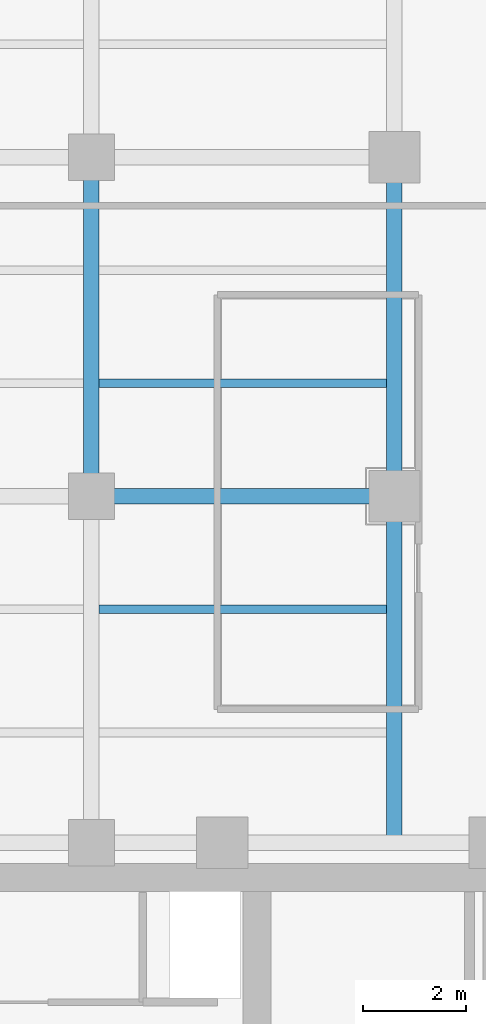
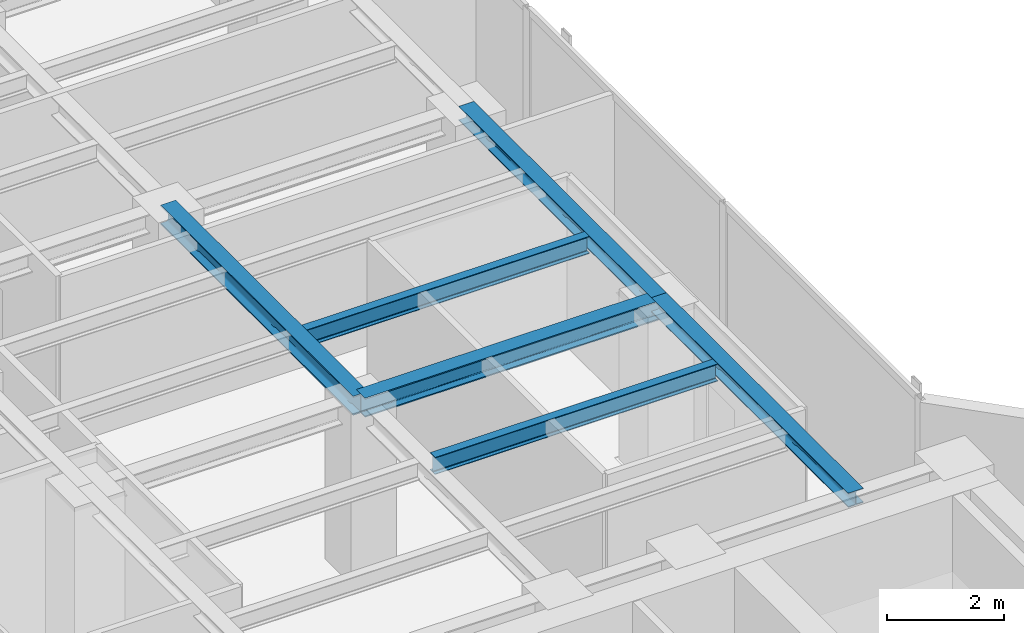
# One storey, part 9 of 23: 6 beams.
"""IFC4 building model written with IfcOpenShell, lengths in metres."""

import ifcopenshell
import ifcopenshell.guid

model = None  # the IFC model being written
_history = None  # IfcOwnerHistory: only IFC2X3 demands one
_inside = {}  # id of a spatial element -> (the spatial element, [elements in it])
_under = {}  # id of a project, library or spatial element -> (it, [spatial elements below it])
_declared = {}  # id of a project -> (the project, [libraries it declares])
_typed = {}  # id of a type object -> (the type object, [elements of that type])
_made_of = {}  # id of a material, layer set ... -> (it, [elements and type objects made of it])


def new_model(schema):
    """Start an empty IFC model of exactly this schema.

    Asked for "IFC4X3", IfcOpenShell would pick the latest addendum, in which some entities
    have other attributes; the version numbers below select the first issue.
    IFC2X3 requires an IfcOwnerHistory on every rooted entity: one is made here for all.
    """
    global model, _history
    if schema == "IFC4X3":
        model = ifcopenshell.file(schema_version=(4, 3, 0, 0))
    else:
        model = ifcopenshell.file(schema=schema)
    _inside.clear()
    _under.clear()
    _declared.clear()
    _typed.clear()
    _made_of.clear()
    _history = None
    if model.schema == "IFC2X3":
        org = make("IfcOrganization", Name="unknown")
        user = make(
            "IfcPersonAndOrganization",
            ThePerson=make("IfcPerson", FamilyName="unknown"),
            TheOrganization=org,
        )
        app = make(
            "IfcApplication",
            ApplicationDeveloper=org,
            Version="unknown",
            ApplicationFullName="unknown",
            ApplicationIdentifier="unknown",
        )
        _history = make(
            "IfcOwnerHistory",
            OwningUser=user,
            OwningApplication=app,
            ChangeAction="ADDED",
            CreationDate=0,
        )
    return model


def make(cls, **values):
    """One entity of the class cls with the attributes given. An attribute that is None is left unset."""
    return model.create_entity(
        cls, **{name: value for name, value in values.items() if value is not None}
    )


def rooted(cls, **values):
    """An entity with a GlobalId (a new one), such as an element, a storey or a relation."""
    return make(cls, GlobalId=ifcopenshell.guid.new(), OwnerHistory=_history, **values)


def si_unit(unit_type, name, prefix=None):
    """IfcSIUnit, for example si_unit("LENGTHUNIT", "METRE", prefix="MILLI")."""
    return make("IfcSIUnit", UnitType=unit_type, Prefix=prefix, Name=name)


def assignment(units):
    """IfcUnitAssignment: the units of a project."""
    return None if units is None else make("IfcUnitAssignment", Units=units)


def point(xyz):
    """IfcCartesianPoint."""
    return None if xyz is None else make("IfcCartesianPoint", Coordinates=xyz)


def direction(xyz):
    """IfcDirection."""
    return None if xyz is None else make("IfcDirection", DirectionRatios=xyz)


def frame(location, z_axis=None, x_axis=None):
    """IfcAxis2Placement3D, a coordinate frame: its origin and axes. An axis left out is left unset."""
    return make(
        "IfcAxis2Placement3D",
        Location=point(location),
        Axis=direction(z_axis),
        RefDirection=direction(x_axis),
    )


def frame_2d(location, x_axis=None):
    """IfcAxis2Placement2D, a coordinate frame in the plane: its origin and x axis."""
    return make(
        "IfcAxis2Placement2D", Location=point(location), RefDirection=direction(x_axis)
    )


def origin():
    """The frame at (0, 0, 0) with its axes left unset."""
    return frame((0.0, 0.0, 0.0))


def origin_2d():
    """The frame at (0, 0) in the plane with its x axis left unset."""
    return frame_2d((0.0, 0.0))


def place(relative_to, where):
    """IfcLocalPlacement: puts the frame where relative to a parent placement (None: the world)."""
    return make(
        "IfcLocalPlacement", PlacementRelTo=relative_to, RelativePlacement=where
    )


def context(
    kind, dimensions, precision=None, world=None, true_north=None, identifier=None
):
    """IfcGeometricRepresentationContext, for example the 3D "Model" context."""
    return make(
        "IfcGeometricRepresentationContext",
        ContextIdentifier=identifier,
        ContextType=kind,
        CoordinateSpaceDimension=dimensions,
        Precision=precision,
        WorldCoordinateSystem=world,
        TrueNorth=true_north,
    )


def subcontext(parent, identifier, kind, view, scale=None):
    """IfcGeometricRepresentationSubContext, for example "Body" below "Model"."""
    return make(
        "IfcGeometricRepresentationSubContext",
        ContextIdentifier=identifier,
        ContextType=kind,
        ParentContext=parent,
        TargetScale=scale,
        TargetView=view,
    )


def project(units=None, contexts=None):
    """IfcProject with its units and contexts."""
    return rooted(
        "IfcProject",
        Name="project",
        RepresentationContexts=contexts,
        UnitsInContext=assignment(units),
    )


def spatial(cls, under=None, at=None, **own):
    """A site, building, storey or space (cls), placed at a placement, below another one or the project."""
    s = rooted(cls, ObjectPlacement=at, **own)
    if under is not None:
        _under.setdefault(under.id(), (under, []))[1].append(s)
    return s


def profile(cls, at=None, kind="AREA", **sizes):
    """A parametric profile (cls). Its sizes go by their IFC names, for example OverallWidth=200.0."""
    return make(cls, ProfileType=kind, Position=at, **sizes)


def i_section(**sizes):
    """IfcIShapeProfileDef."""
    return profile("IfcIShapeProfileDef", **sizes)


def extrude(swept, where, along, depth):
    """IfcExtrudedAreaSolid: the profile swept, set in the frame where, extruded along a direction by depth."""
    return make(
        "IfcExtrudedAreaSolid",
        SweptArea=swept,
        Position=where,
        ExtrudedDirection=direction(along),
        Depth=depth,
    )


def shape(context_of_items, identifier, shape_type, items):
    """IfcShapeRepresentation: the items that make up one representation, for example the "Body"."""
    return make(
        "IfcShapeRepresentation",
        ContextOfItems=context_of_items,
        RepresentationIdentifier=identifier,
        RepresentationType=shape_type,
        Items=items,
    )


def material(Name=None, Category=None):
    """IfcMaterial."""
    return make("IfcMaterial", Name=Name, Category=Category)


def material_profile(
    of_material, cross_section, Name=None, Category=None, Priority=None
):
    """IfcMaterialProfile: a cross section and its material."""
    return make(
        "IfcMaterialProfile",
        Name=Name,
        Material=of_material,
        Profile=cross_section,
        Priority=Priority,
        Category=Category,
    )


def profile_set(profiles, Name=None, composite=None):
    """IfcMaterialProfileSet."""
    return make(
        "IfcMaterialProfileSet",
        Name=Name,
        MaterialProfiles=profiles,
        CompositeProfile=composite,
    )


def made_of(thing, what):
    """Note that an element or type object is made of a material, layer set ...; save() writes the relation."""
    if what is not None:
        _made_of.setdefault(what.id(), (what, []))[1].append(thing)
    return thing


def type_object(cls, material=None, **own):
    """A type object (cls), such as IfcWallType, which elements share."""
    return made_of(rooted(cls, **own), material)


def element(
    cls,
    number,
    at=None,
    inside=None,
    cuts=None,
    type_object=None,
    material=None,
    context=None,
    identifier="Body",
    shape_type=None,
    held_by="IfcProductDefinitionShape",
    body=None,
    shapes=None,
    **own,
):
    """One element of the class cls, such as IfcWall. Its Tag is "e" and its number.

    at: its placement. inside: the storey or other place that contains it. cuts: it is an
    opening in that element (IfcRelVoidsElement). A single representation is given by context,
    identifier, shape_type and body (its items); several are given by shapes. held_by: the class
    of the entity that holds the representations. save() writes the other relations.
    """
    e = rooted(cls, Tag="e%d" % number, ObjectPlacement=at, **own)
    if body is not None:
        shapes = [shape(context, identifier, shape_type, body)]
    if shapes is not None:
        e.Representation = make(held_by, Representations=shapes)
    if inside is not None:
        _inside.setdefault(inside.id(), (inside, []))[1].append(e)
    if cuts is not None:
        rooted(
            "IfcRelVoidsElement", RelatingBuildingElement=cuts, RelatedOpeningElement=e
        )
    if type_object is not None:
        _typed.setdefault(type_object.id(), (type_object, []))[1].append(e)
    return made_of(e, material)


def aggregate(whole, parts):
    """IfcRelAggregates: a whole, such as a stair, and the parts it consists of."""
    return rooted("IfcRelAggregates", RelatingObject=whole, RelatedObjects=parts)


def save(model, path):
    """Write the relations noted so far, then the file.

    IfcRelAggregates (storeys below a building ...), IfcRelContainedInSpatialStructure (elements
    in a storey), IfcRelDefinesByType, IfcRelAssociatesMaterial and IfcRelDeclares: one each for
    every whole, place, type object, material and project.
    """
    for whole, parts in _under.values():
        aggregate(whole, parts)
    for where, things in _inside.values():
        rooted(
            "IfcRelContainedInSpatialStructure",
            RelatedElements=things,
            RelatingStructure=where,
        )
    for kind, things in _typed.values():
        rooted("IfcRelDefinesByType", RelatedObjects=things, RelatingType=kind)
    for what, things in _made_of.values():
        rooted("IfcRelAssociatesMaterial", RelatedObjects=things, RelatingMaterial=what)
    for by, libraries in _declared.values():
        rooted("IfcRelDeclares", RelatingContext=by, RelatedDefinitions=libraries)
    model.write(path)


model = new_model("IFC4")

# Units and contexts
model_context = context("Model", 3, precision=1e-05, world=origin(), true_north=direction((0.0, 1.0)))
body_context = subcontext(model_context, "Body", "Model", "MODEL_VIEW")
ifc_project = project(units=[si_unit("LENGTHUNIT", "METRE"), si_unit("AREAUNIT", "SQUARE_METRE"), si_unit("VOLUMEUNIT", "CUBIC_METRE"), si_unit("PLANEANGLEUNIT", "RADIAN"), si_unit("MASSUNIT", "GRAM", prefix="KILO")], contexts=[model_context])

# Site, building, storey
site_placement = place(None, origin())
site = spatial("IfcSite", under=ifc_project, at=site_placement, CompositionType="ELEMENT")
building_placement = place(site_placement, origin())
building = spatial("IfcBuilding", under=site, at=building_placement, Name="Kolvaren Waterfront Exchange", CompositionType="ELEMENT")
storey_placement = place(building_placement, frame((0.0, 0.0, 215.89990234375)))
storey = spatial("IfcBuildingStorey", under=building, at=storey_placement, Name="L55", CompositionType="ELEMENT", Elevation=215.89990234375)

# Beams
ifc_material = material(Name="Steel S355", Category="steel")
ifc_material_profile_1 = material_profile(ifc_material, i_section(OverallWidth=0.300048828125, OverallDepth=0.300048828125, WebThickness=0.010986328125, FlangeThickness=0.01904296875, FilletRadius=0.027099609375, at=origin_2d()), Name="HEB300")
ifc_profile_set_1 = profile_set([ifc_material_profile_1], Name="Steel S355")
beam_type_1 = type_object("IfcBeamType", Name="STR-BM-HEB300", PredefinedType="SPANDREL", material=ifc_profile_set_1)
beam_1_placement = place(storey_placement, frame((18.800048828125, 24.449951171875, 3.41015625), z_axis=(0.0, 1.0, 0.0), x_axis=(-1.0, 0.0, 0.0)))
element("IfcBeam", 1, at=beam_1_placement, inside=storey, type_object=beam_type_1, Name="L55 north-arm edge beam 1", PredefinedType="SPANDREL", context=body_context, shape_type="SweptSolid", body=[
    extrude(i_section(OverallWidth=0.300048828125, OverallDepth=0.300048828125, WebThickness=0.010986328125, FlangeThickness=0.01904296875, FilletRadius=0.027099609375, at=origin_2d()), origin(), (0.0, 0.0, 1.0), 6.75),
])
beam_2_placement = place(storey_placement, frame((18.800048828125, 31.199951171875, 3.41015625), z_axis=(0.0, 1.0, 0.0), x_axis=(-1.0, 0.0, 0.0)))
element("IfcBeam", 2, at=beam_2_placement, inside=storey, type_object=beam_type_1, Name="L55 north-arm edge beam 2", PredefinedType="SPANDREL", context=body_context, shape_type="SweptSolid", body=[
    extrude(i_section(OverallWidth=0.300048828125, OverallDepth=0.300048828125, WebThickness=0.010986328125, FlangeThickness=0.01904296875, FilletRadius=0.027099609375, at=origin_2d()), origin(), (0.0, 0.0, 1.0), 6.60009765625),
])
ifc_material_profile_2 = material_profile(ifc_material, i_section(OverallWidth=0.300048828125, OverallDepth=0.39990234375, WebThickness=0.013427734375, FlangeThickness=0.02392578125, FilletRadius=0.027099609375, at=origin_2d()), Name="HEB400")
ifc_profile_set_2 = profile_set([ifc_material_profile_2], Name="Steel S355")
beam_type_2 = type_object("IfcBeamType", Name="STR-BM-HEB400", PredefinedType="BEAM", material=ifc_profile_set_2)
beam_3_placement = place(storey_placement, frame((12.89990234375, 31.199951171875, 3.360107421875), z_axis=(1.0, 0.0, 0.0), x_axis=(0.0, 1.0, 0.0)))
element("IfcBeam", 3, at=beam_3_placement, inside=storey, type_object=beam_type_2, Name="L55 north-arm girder 2B", PredefinedType="BEAM", context=body_context, shape_type="SweptSolid", body=[
    extrude(i_section(OverallWidth=0.300048828125, OverallDepth=0.39990234375, WebThickness=0.013427734375, FlangeThickness=0.02392578125, FilletRadius=0.027099609375, at=origin_2d()), origin(), (0.0, 0.0, 1.0), 5.900146484375),
])
beam_4_placement = place(storey_placement, frame((12.89990234375, 31.199951171875, 3.360107421875), z_axis=(0.0, 1.0, 0.0), x_axis=(-1.0, 0.0, 0.0)))
element("IfcBeam", 4, at=beam_4_placement, inside=storey, type_object=beam_type_2, Name="L55 north-arm edge beam 2", PredefinedType="BEAM", context=body_context, shape_type="SweptSolid", body=[
    extrude(i_section(OverallWidth=0.300048828125, OverallDepth=0.39990234375, WebThickness=0.013427734375, FlangeThickness=0.02392578125, FilletRadius=0.027099609375, at=origin_2d()), origin(), (0.0, 0.0, 1.0), 6.60009765625),
])
ifc_material_profile_3 = material_profile(ifc_material, i_section(OverallWidth=0.169921875, OverallDepth=0.360107421875, WebThickness=0.008056640625, FlangeThickness=0.0126953125, FilletRadius=0.01806640625, at=origin_2d()), Name="IPE360")
ifc_profile_set_3 = profile_set([ifc_material_profile_3], Name="Steel S355")
beam_type_3 = type_object("IfcBeamType", Name="STR-BM-IPE360", PredefinedType="JOIST", material=ifc_profile_set_3)
for number, where, z_axis, x_axis, name in (
    (5, (13.052001953125, 29.0, 3.380126953125), (1.0, 0.0, 0.0), (0.0, 1.0, 0.0), "L55 north-arm composite joist 2B"),
    (6, (13.052001953125, 33.39990234375, 3.380126953125), (1.0, 0.0, 0.0), (0.0, 1.0, 0.0), "L55 north-arm composite joist 3B"),
):
    element("IfcBeam", number, at=place(storey_placement, frame(where, z_axis=z_axis, x_axis=x_axis)), inside=storey, type_object=beam_type_3, Name=name, PredefinedType="JOIST", context=body_context, shape_type="SweptSolid", body=[
        extrude(i_section(OverallWidth=0.169921875, OverallDepth=0.360107421875, WebThickness=0.008056640625, FlangeThickness=0.0126953125, FilletRadius=0.01806640625, at=origin_2d()), origin(), (0.0, 0.0, 1.0), 5.595947265625),
    ])

save(model, "model.ifc")
